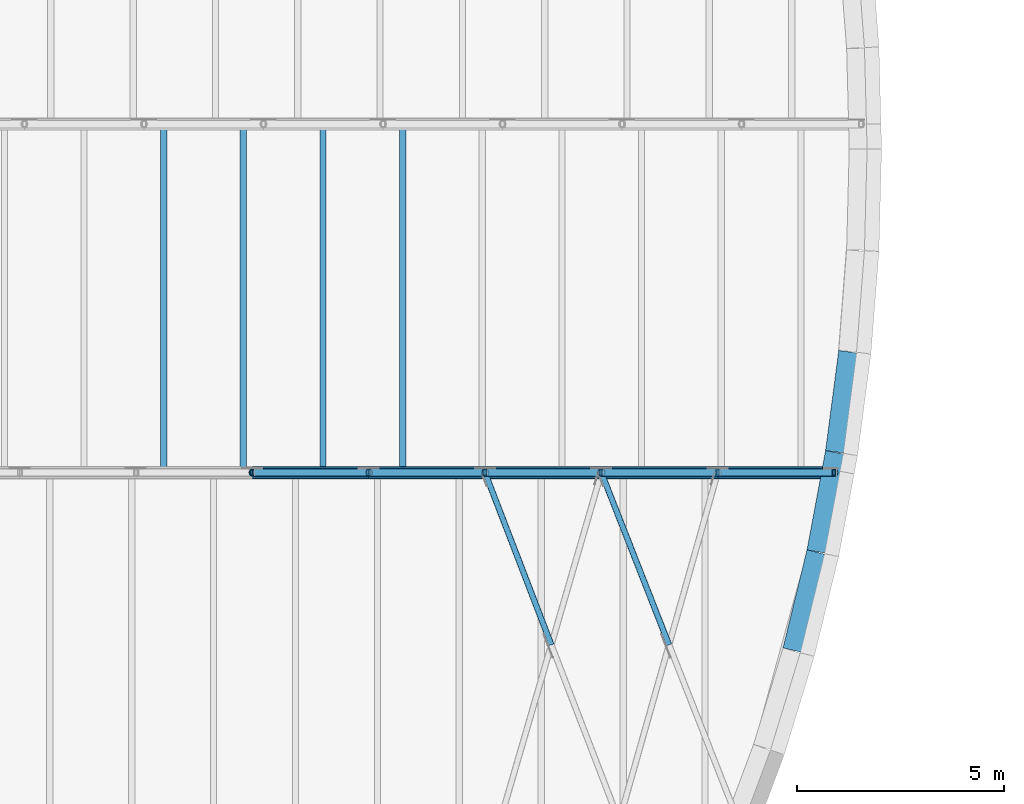
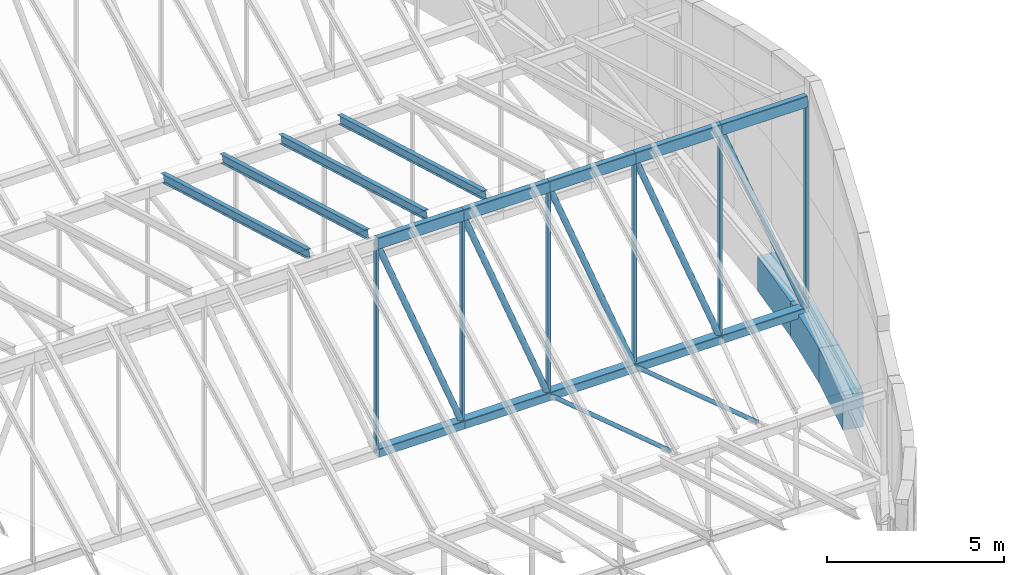
# One storey, part 24 of 68: 17 members, 13 beams.
"""IFC4 building model written with IfcOpenShell, lengths in metres."""

from ifc_helpers import new_model, si_unit, direction, frame, origin, origin_2d, place, context, subcontext, project, spatial, rectangle, hollow_rectangle, hollow_circle, i_section, extrude, material, material_profile, profile_set, type_object, element, save


model = new_model("IFC4")

# Units and contexts
model_context = context("Model", 3, precision=1e-05, world=origin(), true_north=direction((0.0, 1.0)))
body_context = subcontext(model_context, "Body", "Model", "MODEL_VIEW")
ifc_project = project(units=[si_unit("LENGTHUNIT", "METRE"), si_unit("AREAUNIT", "SQUARE_METRE"), si_unit("VOLUMEUNIT", "CUBIC_METRE"), si_unit("PLANEANGLEUNIT", "RADIAN"), si_unit("MASSUNIT", "GRAM", prefix="KILO")], contexts=[model_context])

# Site, building, storey
site_placement = place(None, origin())
site = spatial("IfcSite", under=ifc_project, at=site_placement, CompositionType="ELEMENT")
building_placement = place(site_placement, origin())
building = spatial("IfcBuilding", under=site, at=building_placement, Name="Larchfold Concert Hall", CompositionType="ELEMENT")
storey_placement = place(building_placement, frame((0.0, 0.0, 28.800048828125)))
storey = spatial("IfcBuildingStorey", under=building, at=storey_placement, Name="L06", CompositionType="ELEMENT", Elevation=28.800048828125)

# Beams
ifc_material_1 = material(Name="Concrete C40/50", Category="concrete")
ifc_material_profile_1 = material_profile(ifc_material_1, rectangle(XDim=0.60009765625, YDim=1.199951171875, at=origin_2d()))
ifc_profile_set_1 = profile_set([ifc_material_profile_1], Name="Concrete C40/50")
beam_type_1 = type_object("IfcBeamType", Name="Beam RC 600x1200", PredefinedType="BEAM", material=ifc_profile_set_1)
beam_placement = place(storey_placement, frame((65.496826171875, 72.504150390625, -0.60009765625), z_axis=(0.237501503211, 0.971387170994, 0.0), x_axis=(-0.971387170994, 0.237501503211, 0.0)))
element("IfcBeam", 1, at=beam_placement, inside=storey, type_object=beam_type_1, Name="Beam RB57", PredefinedType="BEAM", context=body_context, shape_type="SweptSolid", body=[
    extrude(rectangle(XDim=0.60009765625, YDim=1.199951171875, at=origin_2d()), origin(), (0.0, 0.0, 1.0), 2.43212890625),
])
for number, where, z_axis, x_axis, name in (
    (2, (66.077880859375, 74.8828125, -0.60009765625), (0.183537193691, 0.98301276621, 0.0), (-0.98301276621, 0.183537193691, 0.0), "Beam RB58"),
    (3, (66.52685546875, 77.290283203125, -0.60009765625), (0.130553152471, 0.991441311617, 0.0), (-0.991441311617, 0.130553152471, 0.0), "Beam RB59"),
):
    element("IfcBeam", number, at=place(storey_placement, frame(where, z_axis=z_axis, x_axis=x_axis)), inside=storey, type_object=beam_type_1, Name=name, PredefinedType="BEAM", context=body_context, shape_type="SweptSolid", body=[
        extrude(rectangle(XDim=0.60009765625, YDim=1.199951171875, at=origin_2d()), origin(), (0.0, 0.0, 1.0), 2.432861328125),
    ])

# Members
ifc_material_2 = material(Name="Steel S355J2H", Category="steel")
ifc_material_profile_2 = material_profile(ifc_material_2, hollow_circle(Radius=0.06982421875, WallThickness=0.00634765625, at=origin_2d()))
ifc_profile_set_2 = profile_set([ifc_material_profile_2], Name="Steel S355J2H")
member_type_1 = type_object("IfcMemberType", Name="Bracing CHS 139.7x6.3", PredefinedType="BRACE", material=ifc_profile_set_2)
member_1_placement = place(storey_placement, frame((62.45751953125, 72.648681640625, 0.0), z_axis=(-0.365503327995, 0.930810032834, 0.0), x_axis=(-0.930810032834, -0.365503327995, 0.0)))
element("IfcMember", 4, at=member_1_placement, inside=storey, type_object=member_type_1, Name="Member FB021", PredefinedType="BRACE", context=body_context, shape_type="SweptSolid", body=[
    extrude(hollow_circle(Radius=0.06982421875, WallThickness=0.00634765625, at=origin_2d()), origin(), (0.0, 0.0, 1.0), 4.4599609375),
])
member_2_placement = place(storey_placement, frame((59.62060546875, 72.648681640625, 0.0), z_axis=(-0.35912251562, 0.933290425738, 0.0), x_axis=(-0.933290425738, -0.35912251562, 0.0)))
element("IfcMember", 5, at=member_2_placement, inside=storey, type_object=member_type_1, Name="Member FB024", PredefinedType="BRACE", context=body_context, shape_type="SweptSolid", body=[
    extrude(hollow_circle(Radius=0.06982421875, WallThickness=0.00634765625, at=origin_2d()), origin(), (0.0, 0.0, 1.0), 4.447998046875),
])
ifc_material_3 = material(Name="Steel S355", Category="steel")
ifc_material_profile_3 = material_profile(ifc_material_3, i_section(OverallWidth=0.14990234375, OverallDepth=0.300048828125, WebThickness=0.007080078125, FlangeThickness=0.0107421875, FilletRadius=0.014892578125, at=origin_2d()))
ifc_profile_set_3 = profile_set([ifc_material_profile_3], Name="Steel S355")
member_type_2 = type_object("IfcMemberType", Name="Rafter IPE 300", PredefinedType="RAFTER", material=ifc_profile_set_3)
for number, where, z_axis, x_axis, name in (
    (6, (50.278564453125, 76.880126953125, 7.50634765625), (0.0, 0.961530397894, -0.274698551007), (-1.0, 0.0, 0.0), "Member RF0057"),
    (7, (52.1982421875, 76.880126953125, 7.50634765625), (0.0, 0.961530397894, -0.274698551007), (-1.0, 0.0, 0.0), "Member RF0058"),
    (8, (54.117919921875, 76.880126953125, 7.50634765625), (0.0, 0.961530397894, -0.274698551007), (-1.0, 0.0, 0.0), "Member RF0059"),
    (9, (56.03759765625, 76.880126953125, 7.50634765625), (0.0, 0.961530397894, -0.274698551007), (-1.0, 0.0, 0.0), "Member RF0060"),
):
    element("IfcMember", number, at=place(storey_placement, frame(where, z_axis=z_axis, x_axis=x_axis)), inside=storey, type_object=member_type_2, Name=name, PredefinedType="RAFTER", context=body_context, shape_type="SweptSolid", body=[
        extrude(i_section(OverallWidth=0.14990234375, OverallDepth=0.300048828125, WebThickness=0.007080078125, FlangeThickness=0.0107421875, FilletRadius=0.014892578125, at=origin_2d()), origin(), (0.0, 0.0, 1.0), 8.5693359375),
    ])

# Beams
ifc_material_4 = material(Name="Steel S355J2H", Category="steel")
ifc_material_profile_4 = material_profile(ifc_material_4, hollow_rectangle(XDim=0.199951171875, YDim=0.39990234375, WallThickness=0.012451171875, InnerFilletRadius=0.018798828125, OuterFilletRadius=0.03125, at=origin_2d()))
ifc_profile_set_4 = profile_set([ifc_material_profile_4], Name="Steel S355J2H")
beam_type_2 = type_object("IfcBeamType", Name="Truss chord RHS 400x200x12.5", PredefinedType="BEAM", material=ifc_profile_set_4)
for number, where, z_axis, x_axis, name in (
    (10, (52.414794921875, 76.800048828125, 7.199951171875), (1.0, 0.0, 0.0), (0.0, 1.0, 0.0), "Beam FT3T13"),
    (11, (55.218994140625, 76.800048828125, 7.199951171875), (1.0, 0.0, 0.0), (0.0, 1.0, 0.0), "Beam FT3T14"),
    (12, (58.023193359375, 76.800048828125, 7.199951171875), (1.0, 0.0, 0.0), (0.0, 1.0, 0.0), "Beam FT3T15"),
    (13, (60.827392578125, 76.800048828125, 7.199951171875), (1.0, 0.0, 0.0), (0.0, 1.0, 0.0), "Beam FT3T16"),
    (14, (63.631591796875, 76.800048828125, 7.199951171875), (1.0, 0.0, 0.0), (0.0, 1.0, 0.0), "Beam FT3T17"),
):
    element("IfcBeam", number, at=place(storey_placement, frame(where, z_axis=z_axis, x_axis=x_axis)), inside=storey, type_object=beam_type_2, Name=name, PredefinedType="BEAM", context=body_context, shape_type="SweptSolid", body=[
        extrude(hollow_rectangle(XDim=0.199951171875, YDim=0.39990234375, WallThickness=0.012451171875, InnerFilletRadius=0.018798828125, OuterFilletRadius=0.03125, at=origin_2d()), origin(), (0.0, 0.0, 1.0), 2.80419921875),
    ])

# Members
ifc_material_5 = material(Name="Steel S355J2H", Category="steel")
ifc_material_profile_5 = material_profile(ifc_material_5, hollow_rectangle(XDim=0.10009765625, YDim=0.14990234375, WallThickness=0.008056640625, InnerFilletRadius=0.008056640625, OuterFilletRadius=0.01611328125, at=origin_2d()))
ifc_profile_set_5 = profile_set([ifc_material_profile_5], Name="Steel S355J2H")
member_type_3 = type_object("IfcMemberType", Name="Truss post RHS 150x100x8", PredefinedType="POST", material=ifc_profile_set_5)
for number, where, z_axis, x_axis, name in (
    (15, (52.414794921875, 76.800048828125, 7.199951171875), (0.0, 0.0, -1.0), (1.0, 0.0, 0.0), "Member FT3V13"),
    (16, (55.218994140625, 76.800048828125, 7.199951171875), (0.0, 0.0, -1.0), (1.0, 0.0, 0.0), "Member FT3V14"),
    (17, (58.023193359375, 76.800048828125, 7.199951171875), (0.0, 0.0, -1.0), (1.0, 0.0, 0.0), "Member FT3V15"),
    (18, (60.827392578125, 76.800048828125, 7.199951171875), (0.0, 0.0, -1.0), (1.0, 0.0, 0.0), "Member FT3V16"),
    (19, (63.631591796875, 76.800048828125, 7.199951171875), (0.0, 0.0, -1.0), (1.0, 0.0, 0.0), "Member FT3V17"),
    (20, (66.435791015625, 76.800048828125, 7.199951171875), (0.0, 0.0, -1.0), (1.0, 0.0, 0.0), "Member FT3V18"),
):
    element("IfcMember", number, at=place(storey_placement, frame(where, z_axis=z_axis, x_axis=x_axis)), inside=storey, type_object=member_type_3, Name=name, PredefinedType="POST", context=body_context, shape_type="SweptSolid", body=[
        extrude(hollow_rectangle(XDim=0.10009765625, YDim=0.14990234375, WallThickness=0.008056640625, InnerFilletRadius=0.008056640625, OuterFilletRadius=0.01611328125, at=origin_2d()), origin(), (0.0, 0.0, 1.0), 7.199951171875),
    ])

# Beams
ifc_material_6 = material(Name="Steel S355J2H", Category="steel")
ifc_material_profile_6 = material_profile(ifc_material_6, hollow_rectangle(XDim=0.300048828125, YDim=0.300048828125, WallThickness=0.012451171875, InnerFilletRadius=0.018798828125, OuterFilletRadius=0.03125, at=origin_2d()))
ifc_profile_set_6 = profile_set([ifc_material_profile_6], Name="Steel S355J2H")
beam_type_3 = type_object("IfcBeamType", Name="Truss tie SHS 300x300x12.5", PredefinedType="BEAM", material=ifc_profile_set_6)
for number, where, z_axis, x_axis, name in (
    (21, (52.414794921875, 76.800048828125, 0.0), (1.0, 0.0, 0.0), (0.0, 1.0, 0.0), "Beam FT3B13"),
    (22, (55.218994140625, 76.800048828125, 0.0), (1.0, 0.0, 0.0), (0.0, 1.0, 0.0), "Beam FT3B14"),
    (23, (58.023193359375, 76.800048828125, 0.0), (1.0, 0.0, 0.0), (0.0, 1.0, 0.0), "Beam FT3B15"),
    (24, (60.827392578125, 76.800048828125, 0.0), (1.0, 0.0, 0.0), (0.0, 1.0, 0.0), "Beam FT3B16"),
    (25, (63.631591796875, 76.800048828125, 0.0), (1.0, 0.0, 0.0), (0.0, 1.0, 0.0), "Beam FT3B17"),
):
    element("IfcBeam", number, at=place(storey_placement, frame(where, z_axis=z_axis, x_axis=x_axis)), inside=storey, type_object=beam_type_3, Name=name, PredefinedType="BEAM", context=body_context, shape_type="SweptSolid", body=[
        extrude(hollow_rectangle(XDim=0.300048828125, YDim=0.300048828125, WallThickness=0.012451171875, InnerFilletRadius=0.018798828125, OuterFilletRadius=0.03125, at=origin_2d()), origin(), (0.0, 0.0, 1.0), 2.80419921875),
    ])

# Members
ifc_material_7 = material(Name="Steel S355J2H", Category="steel")
ifc_material_profile_7 = material_profile(ifc_material_7, hollow_circle(Radius=0.096923828125, WallThickness=0.008056640625, at=origin_2d()))
ifc_profile_set_7 = profile_set([ifc_material_profile_7], Name="Steel S355J2H")
member_type_4 = type_object("IfcMemberType", Name="Truss web CHS 193.7x8", PredefinedType="BRACE", material=ifc_profile_set_7)
for number, where, z_axis, x_axis, name in (
    (26, (52.414794921875, 76.800048828125, 7.199951171875), (0.362920419815, 0.0, -0.931820137624), (0.0, 1.0, 0.0), "Member FT3D13"),
    (27, (55.218994140625, 76.800048828125, 7.199951171875), (0.362920419815, 0.0, -0.931820137624), (0.0, 1.0, 0.0), "Member FT3D14"),
    (28, (58.023193359375, 76.800048828125, 7.199951171875), (0.362920419815, 0.0, -0.931820137624), (0.0, 1.0, 0.0), "Member FT3D15"),
    (29, (60.827392578125, 76.800048828125, 7.199951171875), (0.362920419815, 0.0, -0.931820137624), (0.0, 1.0, 0.0), "Member FT3D16"),
    (30, (63.631591796875, 76.800048828125, 7.199951171875), (0.362920419815, 0.0, -0.931820137624), (0.0, 1.0, 0.0), "Member FT3D17"),
):
    element("IfcMember", number, at=place(storey_placement, frame(where, z_axis=z_axis, x_axis=x_axis)), inside=storey, type_object=member_type_4, Name=name, PredefinedType="BRACE", context=body_context, shape_type="SweptSolid", body=[
        extrude(hollow_circle(Radius=0.096923828125, WallThickness=0.008056640625, at=origin_2d()), origin(), (0.0, 0.0, 1.0), 7.726806640625),
    ])

save(model, "model.ifc")
